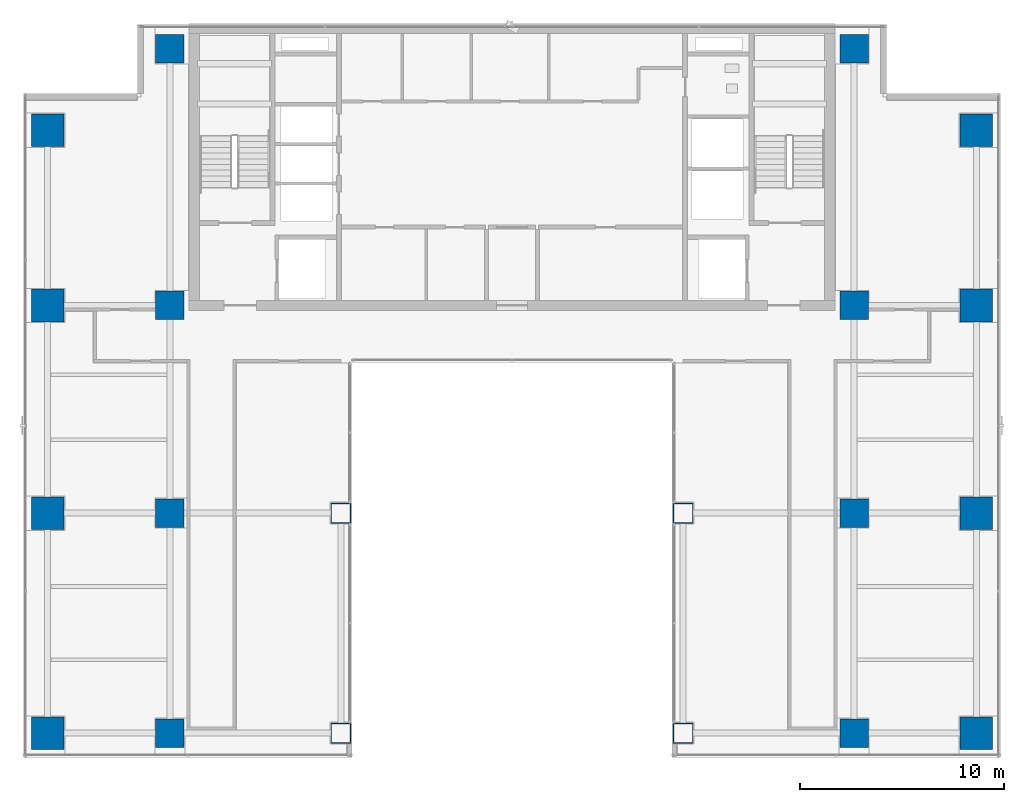
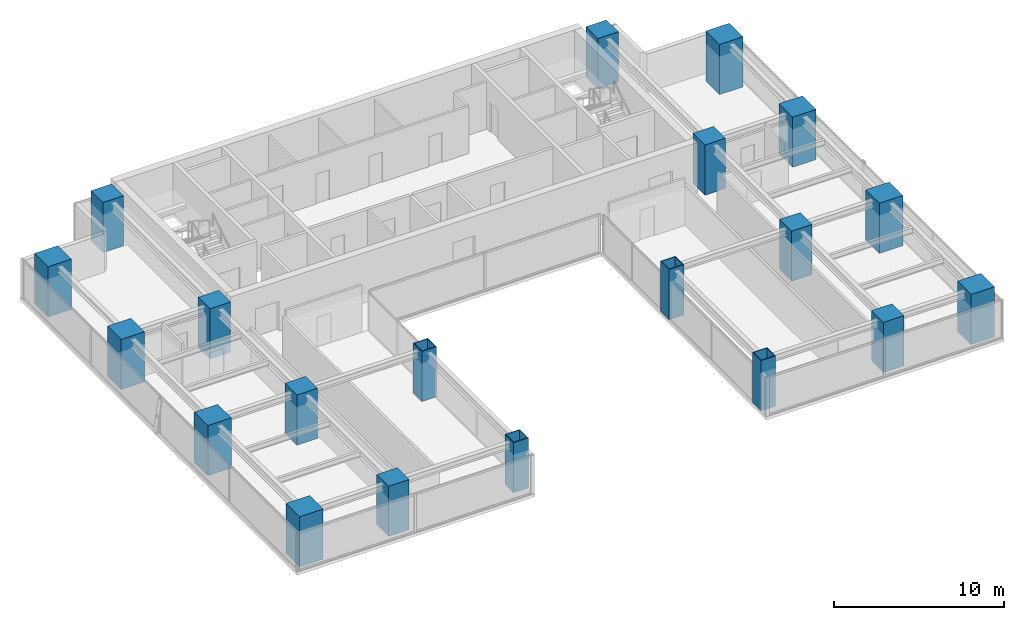
# One storey, part 1 of 28: 20 columns.
"""IFC4 building model written with IfcOpenShell, lengths in metres."""

import ifcopenshell
import ifcopenshell.guid

model = None  # the IFC model being written
_history = None  # IfcOwnerHistory: only IFC2X3 demands one
_inside = {}  # id of a spatial element -> (the spatial element, [elements in it])
_under = {}  # id of a project, library or spatial element -> (it, [spatial elements below it])
_declared = {}  # id of a project -> (the project, [libraries it declares])
_typed = {}  # id of a type object -> (the type object, [elements of that type])
_made_of = {}  # id of a material, layer set ... -> (it, [elements and type objects made of it])


def new_model(schema):
    """Start an empty IFC model of exactly this schema.

    Asked for "IFC4X3", IfcOpenShell would pick the latest addendum, in which some entities
    have other attributes; the version numbers below select the first issue.
    IFC2X3 requires an IfcOwnerHistory on every rooted entity: one is made here for all.
    """
    global model, _history
    if schema == "IFC4X3":
        model = ifcopenshell.file(schema_version=(4, 3, 0, 0))
    else:
        model = ifcopenshell.file(schema=schema)
    _inside.clear()
    _under.clear()
    _declared.clear()
    _typed.clear()
    _made_of.clear()
    _history = None
    if model.schema == "IFC2X3":
        org = make("IfcOrganization", Name="unknown")
        user = make(
            "IfcPersonAndOrganization",
            ThePerson=make("IfcPerson", FamilyName="unknown"),
            TheOrganization=org,
        )
        app = make(
            "IfcApplication",
            ApplicationDeveloper=org,
            Version="unknown",
            ApplicationFullName="unknown",
            ApplicationIdentifier="unknown",
        )
        _history = make(
            "IfcOwnerHistory",
            OwningUser=user,
            OwningApplication=app,
            ChangeAction="ADDED",
            CreationDate=0,
        )
    return model


def make(cls, **values):
    """One entity of the class cls with the attributes given. An attribute that is None is left unset."""
    return model.create_entity(
        cls, **{name: value for name, value in values.items() if value is not None}
    )


def rooted(cls, **values):
    """An entity with a GlobalId (a new one), such as an element, a storey or a relation."""
    return make(cls, GlobalId=ifcopenshell.guid.new(), OwnerHistory=_history, **values)


def si_unit(unit_type, name, prefix=None):
    """IfcSIUnit, for example si_unit("LENGTHUNIT", "METRE", prefix="MILLI")."""
    return make("IfcSIUnit", UnitType=unit_type, Prefix=prefix, Name=name)


def assignment(units):
    """IfcUnitAssignment: the units of a project."""
    return None if units is None else make("IfcUnitAssignment", Units=units)


def point(xyz):
    """IfcCartesianPoint."""
    return None if xyz is None else make("IfcCartesianPoint", Coordinates=xyz)


def direction(xyz):
    """IfcDirection."""
    return None if xyz is None else make("IfcDirection", DirectionRatios=xyz)


def frame(location, z_axis=None, x_axis=None):
    """IfcAxis2Placement3D, a coordinate frame: its origin and axes. An axis left out is left unset."""
    return make(
        "IfcAxis2Placement3D",
        Location=point(location),
        Axis=direction(z_axis),
        RefDirection=direction(x_axis),
    )


def frame_2d(location, x_axis=None):
    """IfcAxis2Placement2D, a coordinate frame in the plane: its origin and x axis."""
    return make(
        "IfcAxis2Placement2D", Location=point(location), RefDirection=direction(x_axis)
    )


def origin():
    """The frame at (0, 0, 0) with its axes left unset."""
    return frame((0.0, 0.0, 0.0))


def origin_2d():
    """The frame at (0, 0) in the plane with its x axis left unset."""
    return frame_2d((0.0, 0.0))


def place(relative_to, where):
    """IfcLocalPlacement: puts the frame where relative to a parent placement (None: the world)."""
    return make(
        "IfcLocalPlacement", PlacementRelTo=relative_to, RelativePlacement=where
    )


def context(
    kind, dimensions, precision=None, world=None, true_north=None, identifier=None
):
    """IfcGeometricRepresentationContext, for example the 3D "Model" context."""
    return make(
        "IfcGeometricRepresentationContext",
        ContextIdentifier=identifier,
        ContextType=kind,
        CoordinateSpaceDimension=dimensions,
        Precision=precision,
        WorldCoordinateSystem=world,
        TrueNorth=true_north,
    )


def subcontext(parent, identifier, kind, view, scale=None):
    """IfcGeometricRepresentationSubContext, for example "Body" below "Model"."""
    return make(
        "IfcGeometricRepresentationSubContext",
        ContextIdentifier=identifier,
        ContextType=kind,
        ParentContext=parent,
        TargetScale=scale,
        TargetView=view,
    )


def project(units=None, contexts=None):
    """IfcProject with its units and contexts."""
    return rooted(
        "IfcProject",
        Name="project",
        RepresentationContexts=contexts,
        UnitsInContext=assignment(units),
    )


def spatial(cls, under=None, at=None, **own):
    """A site, building, storey or space (cls), placed at a placement, below another one or the project."""
    s = rooted(cls, ObjectPlacement=at, **own)
    if under is not None:
        _under.setdefault(under.id(), (under, []))[1].append(s)
    return s


def profile(cls, at=None, kind="AREA", **sizes):
    """A parametric profile (cls). Its sizes go by their IFC names, for example OverallWidth=200.0."""
    return make(cls, ProfileType=kind, Position=at, **sizes)


def rectangle(**sizes):
    """IfcRectangleProfileDef."""
    return profile("IfcRectangleProfileDef", **sizes)


def hollow_rectangle(**sizes):
    """IfcRectangleHollowProfileDef."""
    return profile("IfcRectangleHollowProfileDef", **sizes)


def extrude(swept, where, along, depth):
    """IfcExtrudedAreaSolid: the profile swept, set in the frame where, extruded along a direction by depth."""
    return make(
        "IfcExtrudedAreaSolid",
        SweptArea=swept,
        Position=where,
        ExtrudedDirection=direction(along),
        Depth=depth,
    )


def shape(context_of_items, identifier, shape_type, items):
    """IfcShapeRepresentation: the items that make up one representation, for example the "Body"."""
    return make(
        "IfcShapeRepresentation",
        ContextOfItems=context_of_items,
        RepresentationIdentifier=identifier,
        RepresentationType=shape_type,
        Items=items,
    )


def source(mapping_origin, context_of_items, identifier, shape_type, items):
    """IfcRepresentationMap: a shape defined once, which mapped items show again and again."""
    return make(
        "IfcRepresentationMap",
        MappingOrigin=mapping_origin,
        MappedRepresentation=shape(context_of_items, identifier, shape_type, items),
    )


def transform(
    local_origin,
    x_axis=None,
    y_axis=None,
    z_axis=None,
    scale=None,
    scale2=None,
    scale3=None,
    uniform=True,
):
    """IfcCartesianTransformationOperator3D, or its non-uniform kind. x_axis, y_axis, z_axis: its Axis1, 2, 3."""
    if uniform:
        return make(
            "IfcCartesianTransformationOperator3D",
            Axis1=direction(x_axis),
            Axis2=direction(y_axis),
            LocalOrigin=point(local_origin),
            Scale=scale,
            Axis3=direction(z_axis),
        )
    return make(
        "IfcCartesianTransformationOperator3DnonUniform",
        Axis1=direction(x_axis),
        Axis2=direction(y_axis),
        LocalOrigin=point(local_origin),
        Scale=scale,
        Axis3=direction(z_axis),
        Scale2=scale2,
        Scale3=scale3,
    )


def mapped(mapping_source, mapping_target):
    """IfcMappedItem: shows the shape of a source again, moved by a transform."""
    return make(
        "IfcMappedItem", MappingSource=mapping_source, MappingTarget=mapping_target
    )


def material(Name=None, Category=None):
    """IfcMaterial."""
    return make("IfcMaterial", Name=Name, Category=Category)


def material_profile(
    of_material, cross_section, Name=None, Category=None, Priority=None
):
    """IfcMaterialProfile: a cross section and its material."""
    return make(
        "IfcMaterialProfile",
        Name=Name,
        Material=of_material,
        Profile=cross_section,
        Priority=Priority,
        Category=Category,
    )


def profile_set(profiles, Name=None, composite=None):
    """IfcMaterialProfileSet."""
    return make(
        "IfcMaterialProfileSet",
        Name=Name,
        MaterialProfiles=profiles,
        CompositeProfile=composite,
    )


def made_of(thing, what):
    """Note that an element or type object is made of a material, layer set ...; save() writes the relation."""
    if what is not None:
        _made_of.setdefault(what.id(), (what, []))[1].append(thing)
    return thing


def type_object(cls, material=None, **own):
    """A type object (cls), such as IfcWallType, which elements share."""
    return made_of(rooted(cls, **own), material)


def element(
    cls,
    number,
    at=None,
    inside=None,
    cuts=None,
    type_object=None,
    material=None,
    context=None,
    identifier="Body",
    shape_type=None,
    held_by="IfcProductDefinitionShape",
    body=None,
    shapes=None,
    **own,
):
    """One element of the class cls, such as IfcWall. Its Tag is "e" and its number.

    at: its placement. inside: the storey or other place that contains it. cuts: it is an
    opening in that element (IfcRelVoidsElement). A single representation is given by context,
    identifier, shape_type and body (its items); several are given by shapes. held_by: the class
    of the entity that holds the representations. save() writes the other relations.
    """
    e = rooted(cls, Tag="e%d" % number, ObjectPlacement=at, **own)
    if body is not None:
        shapes = [shape(context, identifier, shape_type, body)]
    if shapes is not None:
        e.Representation = make(held_by, Representations=shapes)
    if inside is not None:
        _inside.setdefault(inside.id(), (inside, []))[1].append(e)
    if cuts is not None:
        rooted(
            "IfcRelVoidsElement", RelatingBuildingElement=cuts, RelatedOpeningElement=e
        )
    if type_object is not None:
        _typed.setdefault(type_object.id(), (type_object, []))[1].append(e)
    return made_of(e, material)


def aggregate(whole, parts):
    """IfcRelAggregates: a whole, such as a stair, and the parts it consists of."""
    return rooted("IfcRelAggregates", RelatingObject=whole, RelatedObjects=parts)


def save(model, path):
    """Write the relations noted so far, then the file.

    IfcRelAggregates (storeys below a building ...), IfcRelContainedInSpatialStructure (elements
    in a storey), IfcRelDefinesByType, IfcRelAssociatesMaterial and IfcRelDeclares: one each for
    every whole, place, type object, material and project.
    """
    for whole, parts in _under.values():
        aggregate(whole, parts)
    for where, things in _inside.values():
        rooted(
            "IfcRelContainedInSpatialStructure",
            RelatedElements=things,
            RelatingStructure=where,
        )
    for kind, things in _typed.values():
        rooted("IfcRelDefinesByType", RelatedObjects=things, RelatingType=kind)
    for what, things in _made_of.values():
        rooted("IfcRelAssociatesMaterial", RelatedObjects=things, RelatingMaterial=what)
    for by, libraries in _declared.values():
        rooted("IfcRelDeclares", RelatingContext=by, RelatedDefinitions=libraries)
    model.write(path)


model = new_model("IFC4")

# Units and contexts
model_context = context("Model", 3, precision=1e-05, world=origin(), true_north=direction((0.0, 1.0)))
body_context = subcontext(model_context, "Body", "Model", "MODEL_VIEW")
ifc_project = project(units=[si_unit("LENGTHUNIT", "METRE"), si_unit("AREAUNIT", "SQUARE_METRE"), si_unit("VOLUMEUNIT", "CUBIC_METRE"), si_unit("PLANEANGLEUNIT", "RADIAN"), si_unit("MASSUNIT", "GRAM", prefix="KILO")], contexts=[model_context])

# Site, building, storey
site_placement = place(None, origin())
site = spatial("IfcSite", under=ifc_project, at=site_placement, CompositionType="ELEMENT")
building_placement = place(site_placement, origin())
building = spatial("IfcBuilding", under=site, at=building_placement, Name="Sumidabori Civic Tower", CompositionType="ELEMENT")
storey_placement = place(building_placement, frame((0.0, 0.0, 210.800048828125)))
storey = spatial("IfcBuildingStorey", under=building, at=storey_placement, Name="L54", CompositionType="ELEMENT", Elevation=210.800048828125)

# Columns
ifc_material_1 = material(Name="Concrete C60/75", Category="concrete")
ifc_material_profile_1 = material_profile(ifc_material_1, rectangle(XDim=1.60009765625, YDim=1.60009765625, at=origin_2d()), Name="RC 1600x1600")
ifc_profile_set_1 = profile_set([ifc_material_profile_1], Name="Concrete C60/75")
column_type_1 = type_object("IfcColumnType", Name="CL-MEGA-1600", PredefinedType="COLUMN", material=ifc_profile_set_1)
shared_shape_1 = source(origin(), body_context, "Body", "SweptSolid", [
    extrude(rectangle(XDim=1.60009765625, YDim=1.60009765625, at=origin_2d()), origin(), (0.0, 0.0, 1.0), 3.599853515625),
])
for number, where, z_axis, x_axis, name in (
    (1, (-22.800048828125, -10.800048828125, 0.0), (0.0, 0.0, 1.0), (1.0, 0.0, 0.0), "Column MC-W23-Y11S L54"),
    (2, (-22.800048828125, 0.0, 0.0), (0.0, 0.0, 1.0), (1.0, 0.0, 0.0), "Column MC-W23-Y00 L54"),
    (3, (-22.800048828125, 10.199951171875, 0.0), (0.0, 0.0, 1.0), (1.0, 0.0, 0.0), "Column MC-W23-Y10N L54"),
    (4, (-22.800048828125, 18.800048828125, 0.0), (0.0, 0.0, 1.0), (1.0, 0.0, 0.0), "Column MC-W23-Y19N L54"),
    (5, (22.800048828125, -10.800048828125, 0.0), (0.0, 0.0, 1.0), (1.0, 0.0, 0.0), "Column MC-E23-Y11S L54"),
    (6, (22.800048828125, 0.0, 0.0), (0.0, 0.0, 1.0), (1.0, 0.0, 0.0), "Column MC-E23-Y00 L54"),
    (7, (22.800048828125, 10.199951171875, 0.0), (0.0, 0.0, 1.0), (1.0, 0.0, 0.0), "Column MC-E23-Y10N L54"),
    (8, (22.800048828125, 18.800048828125, 0.0), (0.0, 0.0, 1.0), (1.0, 0.0, 0.0), "Column MC-E23-Y19N L54"),
):
    element("IfcColumn", number, at=place(storey_placement, frame(where, z_axis=z_axis, x_axis=x_axis)), inside=storey, type_object=column_type_1, Name=name, PredefinedType="COLUMN", context=body_context, shape_type="MappedRepresentation", body=[
        mapped(shared_shape_1, transform((0.0, 0.0, 0.0), x_axis=(1.0, 0.0, 0.0), y_axis=(0.0, 1.0, 0.0), z_axis=(0.0, 0.0, 1.0), scale=1.0)),
    ])
ifc_material_2 = material(Name="Steel SM570", Category="steel")
ifc_material_profile_2 = material_profile(ifc_material_2, hollow_rectangle(XDim=1.0, YDim=1.0, WallThickness=0.044921875, at=origin_2d()), Name="SHS 1000x1000x45")
ifc_profile_set_2 = profile_set([ifc_material_profile_2], Name="Steel SM570")
column_type_2 = type_object("IfcColumnType", Name="CL-PORTAL-SHS1000", PredefinedType="COLUMN", material=ifc_profile_set_2)
shared_shape_2 = source(origin(), body_context, "Body", "SweptSolid", [
    extrude(hollow_rectangle(XDim=1.0, YDim=1.0, WallThickness=0.044921875, at=origin_2d()), origin(), (0.0, 0.0, 1.0), 3.599853515625),
])
for number, where, z_axis, x_axis, name in (
    (9, (-8.39990234375, 0.0, 0.0), (0.0, 0.0, 1.0), (1.0, 0.0, 0.0), "Column MC-W08-Y00 L54"),
    (10, (-8.39990234375, -10.800048828125, 0.0), (0.0, 0.0, 1.0), (1.0, 0.0, 0.0), "Column MC-W08-Y11S L54"),
    (11, (8.39990234375, 0.0, 0.0), (0.0, 0.0, 1.0), (1.0, 0.0, 0.0), "Column MC-E08-Y00 L54"),
    (12, (8.39990234375, -10.800048828125, 0.0), (0.0, 0.0, 1.0), (1.0, 0.0, 0.0), "Column MC-E08-Y11S L54"),
):
    element("IfcColumn", number, at=place(storey_placement, frame(where, z_axis=z_axis, x_axis=x_axis)), inside=storey, type_object=column_type_2, Name=name, PredefinedType="COLUMN", context=body_context, shape_type="MappedRepresentation", body=[
        mapped(shared_shape_2, transform((0.0, 0.0, 0.0), x_axis=(1.0, 0.0, 0.0), y_axis=(0.0, 1.0, 0.0), z_axis=(0.0, 0.0, 1.0), scale=1.0)),
    ])
ifc_material_profile_3 = material_profile(ifc_material_1, rectangle(XDim=1.39990234375, YDim=1.39990234375, at=origin_2d()), Name="RC 1400x1400")
ifc_profile_set_3 = profile_set([ifc_material_profile_3], Name="Concrete C60/75")
column_type_3 = type_object("IfcColumnType", Name="CL-MEGA-1400", PredefinedType="COLUMN", material=ifc_profile_set_3)
shared_shape_3 = source(origin(), body_context, "Body", "SweptSolid", [
    extrude(rectangle(XDim=1.39990234375, YDim=1.39990234375, at=origin_2d()), origin(), (0.0, 0.0, 1.0), 3.599853515625),
])
for number, where, z_axis, x_axis, name in (
    (13, (-16.800048828125, -10.800048828125, 0.0), (0.0, 0.0, 1.0), (1.0, 0.0, 0.0), "Column MC-W16-Y11S L54"),
    (14, (-16.800048828125, 0.0, 0.0), (0.0, 0.0, 1.0), (1.0, 0.0, 0.0), "Column MC-W16-Y00 L54"),
    (15, (-16.800048828125, 10.199951171875, 0.0), (0.0, 0.0, 1.0), (1.0, 0.0, 0.0), "Column MC-W16-Y10N L54"),
    (16, (-16.800048828125, 22.800048828125, 0.0), (0.0, 0.0, 1.0), (1.0, 0.0, 0.0), "Column MC-W16-Y23N L54"),
    (17, (16.800048828125, -10.800048828125, 0.0), (0.0, 0.0, 1.0), (1.0, 0.0, 0.0), "Column MC-E16-Y11S L54"),
    (18, (16.800048828125, 0.0, 0.0), (0.0, 0.0, 1.0), (1.0, 0.0, 0.0), "Column MC-E16-Y00 L54"),
    (19, (16.800048828125, 10.199951171875, 0.0), (0.0, 0.0, 1.0), (1.0, 0.0, 0.0), "Column MC-E16-Y10N L54"),
    (20, (16.800048828125, 22.800048828125, 0.0), (0.0, 0.0, 1.0), (1.0, 0.0, 0.0), "Column MC-E16-Y23N L54"),
):
    element("IfcColumn", number, at=place(storey_placement, frame(where, z_axis=z_axis, x_axis=x_axis)), inside=storey, type_object=column_type_3, Name=name, PredefinedType="COLUMN", context=body_context, shape_type="MappedRepresentation", body=[
        mapped(shared_shape_3, transform((0.0, 0.0, 0.0), x_axis=(1.0, 0.0, 0.0), y_axis=(0.0, 1.0, 0.0), z_axis=(0.0, 0.0, 1.0), scale=1.0)),
    ])

save(model, "model.ifc")
